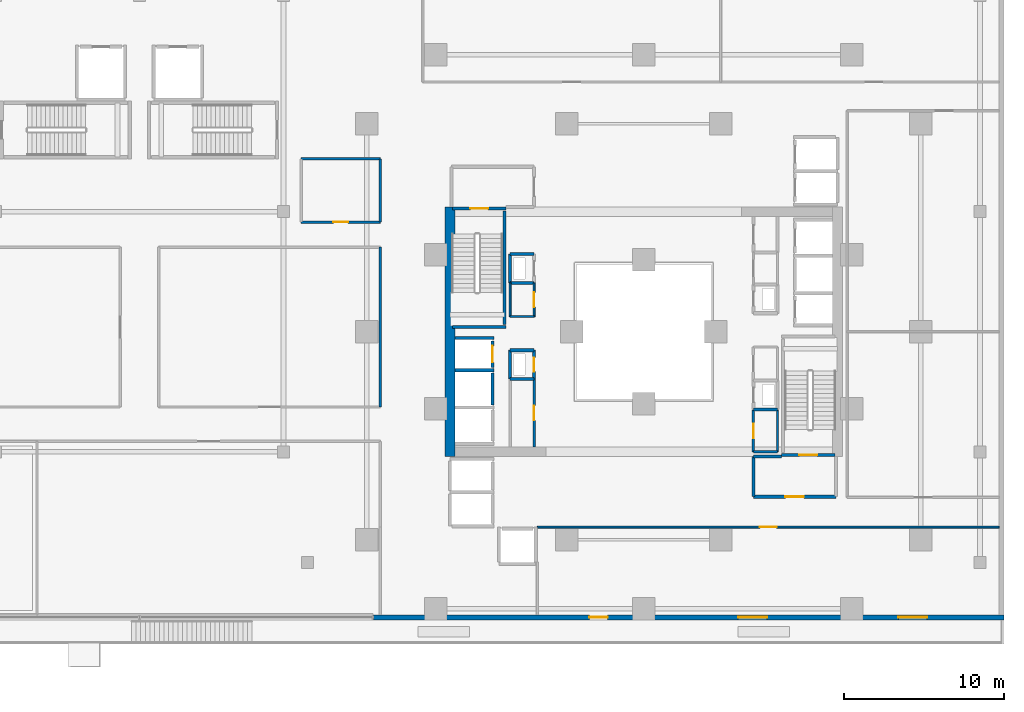
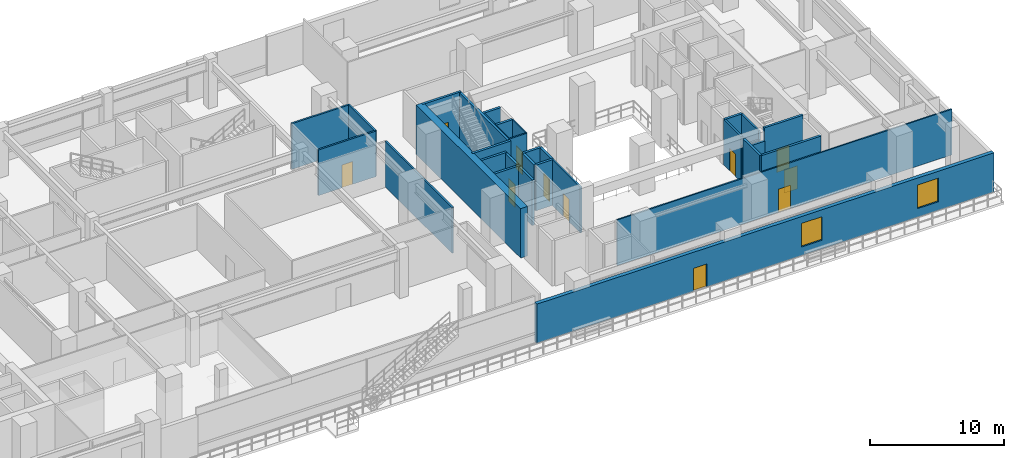
# One storey, part 16 of 24: 33 walls, 11 doors, 2 windows, 13 openings.
"""IFC4 building model written with IfcOpenShell, lengths in metres."""

from ifc_helpers import new_model, si_unit, direction, frame, frame_2d, origin, place, context, subcontext, project, spatial, rectangle, extrude, material, layer, layer_set, type_object, element, fill, save


model = new_model("IFC4")

# Units and contexts
model_context = context("Model", 3, precision=1e-05, world=origin(), true_north=direction((0.0, 1.0)))
body_context = subcontext(model_context, "Body", "Model", "MODEL_VIEW")
ifc_project = project(units=[si_unit("LENGTHUNIT", "METRE"), si_unit("AREAUNIT", "SQUARE_METRE"), si_unit("VOLUMEUNIT", "CUBIC_METRE"), si_unit("PLANEANGLEUNIT", "RADIAN"), si_unit("MASSUNIT", "GRAM", prefix="KILO")], contexts=[model_context])

# Site, building, storey
site_placement = place(None, origin())
site = spatial("IfcSite", under=ifc_project, at=site_placement, CompositionType="ELEMENT")
building_placement = place(site_placement, origin())
building = spatial("IfcBuilding", under=site, at=building_placement, Name="Thornwick Lancets Civic Towers", CompositionType="ELEMENT")
storey_placement = place(building_placement, frame((0.0, 0.0, 14.10009765625)))
storey = spatial("IfcBuildingStorey", under=building, at=storey_placement, Name="L03", CompositionType="ELEMENT", Elevation=14.10009765625)

# Wall, opening, door
ifc_material_1 = material(Name="Concrete blockwork C40/50", Category="masonry")
ifc_layer_1 = layer(ifc_material_1, 0.199951171875, Name="Concrete blockwork C40/50")
ifc_layer_set_1 = layer_set([ifc_layer_1], Name="Concrete blockwork C40/50")
wall_type_1 = type_object("IfcWallType", Name="WALL_COMP_200", PredefinedType="STANDARD", material=ifc_layer_set_1)
wall_1_placement = place(storey_placement, frame((79.050048828125, 24.780029296875, 0.0), z_axis=(0.0, 0.0, 1.0), x_axis=(0.0, 1.0, 0.0)))
wall_1 = element("IfcWall", 1, at=wall_1_placement, inside=storey, type_object=wall_type_1, Name="L03 Hoistway Front Wall FL-B2", PredefinedType="STANDARD", context=body_context, shape_type="SweptSolid", body=[
    extrude(rectangle(XDim=1.639892578125, YDim=0.199951171875, at=frame_2d((0.81982421875, 0.0))), origin(), (0.0, 0.0, 1.0), 4.159912109375),
])
opening_1_placement = place(wall_1_placement, frame((0.31005859375, 0.0, 0.0)))
opening_1 = element("IfcOpeningElement", 2, at=opening_1_placement, cuts=wall_1, Name="Opening LD-FL-B2", PredefinedType="OPENING", context=body_context, shape_type="SweptSolid", body=[
    extrude(rectangle(XDim=1.02001953125, YDim=2.06005859375, at=frame_2d((0.510009765625, 1.030029296875))), frame((0.0, 0.10986328125, 0.0), z_axis=(0.0, -1.0, 0.0), x_axis=(1.0, 0.0, 0.0)), (0.0, 0.0, 1.0), 0.219970703125),
])
ifc_material_2 = material(Name="Brushed bronze stainless steel", Category="steel")
door_type_1 = type_object("IfcDoorType", Name="DOOR_LIFT_SLIDE", OperationType="SLIDING_TO_LEFT", PredefinedType="DOOR", material=ifc_material_2)
door_1_placement = place(opening_1_placement, origin())
door_1 = element("IfcDoor", 3, at=door_1_placement, inside=storey, type_object=door_type_1, Name="L03 Sliding Lift Landing Door LD-FL-B2", OperationType="SLIDING_TO_LEFT", OverallHeight=2.06005859375, OverallWidth=1.02001953125, PredefinedType="DOOR", context=body_context, shape_type="SweptSolid", body=[
    extrude(rectangle(XDim=1.02001953125, YDim=2.06005859375, at=frame_2d((0.510009765625, 1.030029296875))), frame((0.0, 0.02490234375, 0.0), z_axis=(0.0, -1.0, 0.0), x_axis=(1.0, 0.0, 0.0)), (0.0, 0.0, 1.0), 0.050048828125),
])
fill(opening_1, door_1)

# Walls
wall_2_placement = place(storey_placement, frame((79.050048828125, 22.429931640625, 0.0), z_axis=(0.0, 0.0, 1.0), x_axis=(0.0, 1.0, 0.0)))
element("IfcWall", 4, at=wall_2_placement, inside=storey, type_object=wall_type_1, Name="L03 Hoistway Front Wall PL-BH2", PredefinedType="STANDARD", context=body_context, shape_type="SweptSolid", body=[
    extrude(rectangle(XDim=1.989990234375, YDim=0.199951171875, at=frame_2d((0.9951171875, 0.0))), origin(), (0.0, 0.0, 1.0), 4.159912109375),
])
for number, where, z_axis, x_axis, name in (
    (5, (76.7119140625, 26.60009765625, 0.0), (0.0, 0.0, 1.0), (1.0, 0.0, 0.0), "L03 Hoistway Shaft Wall FL-B2 N"),
    (6, (76.7119140625, 24.60009765625, 0.0), (0.0, 0.0, 1.0), (1.0, 0.0, 0.0), "L03 Hoistway Shaft Wall FL-B2 S"),
):
    element("IfcWall", number, at=place(storey_placement, frame(where, z_axis=z_axis, x_axis=x_axis)), inside=storey, type_object=wall_type_1, Name=name, PredefinedType="STANDARD", context=body_context, shape_type="SweptSolid", body=[
        extrude(rectangle(XDim=2.43603515625, YDim=0.199951171875, at=frame_2d((1.218017578125, 0.0))), origin(), (0.0, 0.0, 1.0), 4.159912109375),
    ])

# Wall, opening, door
wall_3_placement = place(storey_placement, frame((95.35009765625, 16.699951171875, 0.0), z_axis=(0.0, 0.0, 1.0), x_axis=(1.0, 0.0, 0.0)))
wall_3 = element("IfcWall", 7, at=wall_3_placement, inside=storey, type_object=wall_type_1, Name="L03 Partition L03-B-FFLOB1 E1", PredefinedType="STANDARD", context=body_context, shape_type="SweptSolid", body=[
    extrude(rectangle(XDim=5.14990234375, YDim=0.199951171875, at=frame_2d((2.574951171875, 0.0))), origin(), (0.0, 0.0, 1.0), 4.159912109375),
])
opening_2_placement = place(wall_3_placement, frame((2.0, 0.0, 0.0)))
opening_2 = element("IfcOpeningElement", 8, at=opening_2_placement, cuts=wall_3, Name="Opening D-L03-0197", PredefinedType="OPENING", context=body_context, shape_type="SweptSolid", body=[
    extrude(rectangle(XDim=1.14990234375, YDim=2.10009765625, at=frame_2d((0.574951171875, 1.050048828125))), frame((0.0, 0.10986328125, 0.0), z_axis=(0.0, -1.0, 0.0), x_axis=(1.0, 0.0, 0.0)), (0.0, 0.0, 1.0), 0.219970703125),
])
ifc_material_3 = material(Name="Glazed fire-resisting steel", Category="steel")
door_type_2 = type_object("IfcDoorType", Name="DOOR_LOBBY_FD60", OperationType="NOTDEFINED", PredefinedType="DOOR", material=ifc_material_3)
door_2_placement = place(opening_2_placement, origin())
door_2 = element("IfcDoor", 9, at=door_2_placement, inside=storey, type_object=door_type_2, Name="L03 East Firefighting Lobby 1 Door", OperationType="SINGLE_SWING_RIGHT", OverallHeight=2.10009765625, OverallWidth=1.14990234375, PredefinedType="DOOR", context=body_context, shape_type="SweptSolid", body=[
    extrude(rectangle(XDim=1.14990234375, YDim=2.10009765625, at=frame_2d((0.574951171875, 1.050048828125))), frame((0.0, 0.02490234375, 0.0), z_axis=(0.0, -1.0, 0.0), x_axis=(1.0, 0.0, 0.0)), (0.0, 0.0, 1.0), 0.050048828125),
])
fill(opening_2, door_2)

# Walls
wall_4_placement = place(storey_placement, frame((97.10009765625, 19.199951171875, 0.0), z_axis=(0.0, 0.0, 1.0), x_axis=(-1.0, 0.0, 0.0)))
element("IfcWall", 10, at=wall_4_placement, inside=storey, type_object=wall_type_1, Name="L03 Partition L03-B-FFLOB1 E3", PredefinedType="STANDARD", context=body_context, shape_type="SweptSolid", body=[
    extrude(rectangle(XDim=1.75, YDim=0.199951171875, at=frame_2d((0.875, 0.0))), origin(), (0.0, 0.0, 1.0), 3.364990234375),
])
wall_5_placement = place(storey_placement, frame((95.35009765625, 19.199951171875, 0.0), z_axis=(0.0, 0.0, 1.0), x_axis=(0.0, -1.0, 0.0)))
element("IfcWall", 11, at=wall_5_placement, inside=storey, type_object=wall_type_1, Name="L03 Partition L03-B-FFLOB1 E4", PredefinedType="STANDARD", context=body_context, shape_type="SweptSolid", body=[
    extrude(rectangle(XDim=2.5, YDim=0.199951171875, at=frame_2d((1.25, 0.0))), origin(), (0.0, 0.0, 1.0), 4.159912109375),
])
for number, where, z_axis, x_axis, name in (
    (12, (95.35009765625, 22.14990234375, 0.0), (0.0, 0.0, 1.0), (1.0, 0.0, 0.0), "L03 Partition L03-B-RISER1 E1"),
    (13, (80.14990234375, 24.050048828125, 0.0), (0.0, 0.0, 1.0), (1.0, 0.0, 0.0), "L03 Partition L03-B-DUCT2 E1"),
):
    element("IfcWall", number, at=place(storey_placement, frame(where, z_axis=z_axis, x_axis=x_axis)), inside=storey, type_object=wall_type_1, Name=name, PredefinedType="STANDARD", context=body_context, shape_type="SweptSolid", body=[
        extrude(rectangle(XDim=1.5, YDim=0.199951171875, at=frame_2d((0.75, 0.0))), origin(), (0.0, 0.0, 1.0), 4.159912109375),
    ])

# Wall, opening, door
wall_6_placement = place(storey_placement, frame((81.64990234375, 24.050048828125, 0.0), z_axis=(0.0, 0.0, 1.0), x_axis=(0.0, 1.0, 0.0)))
wall_6 = element("IfcWall", 14, at=wall_6_placement, inside=storey, type_object=wall_type_1, Name="L03 Partition L03-B-DUCT2 E2", PredefinedType="STANDARD", context=body_context, shape_type="SweptSolid", body=[
    extrude(rectangle(XDim=1.800048828125, YDim=0.199951171875, at=frame_2d((0.89990234375, 0.0))), origin(), (0.0, 0.0, 1.0), 4.159912109375),
])
opening_3_placement = place(wall_6_placement, frame((0.4599609375, 0.0, 0.0)))
opening_3 = element("IfcOpeningElement", 15, at=opening_3_placement, cuts=wall_6, Name="Opening D-L03-0201", PredefinedType="OPENING", context=body_context, shape_type="SweptSolid", body=[
    extrude(rectangle(XDim=0.8798828125, YDim=2.0400390625, at=frame_2d((0.43994140625, 1.02001953125))), frame((0.0, 0.10986328125, 0.0), z_axis=(0.0, -1.0, 0.0), x_axis=(1.0, 0.0, 0.0)), (0.0, 0.0, 1.0), 0.219970703125),
])
ifc_material_4 = material(Name="Steel riser access doorset", Category="steel")
door_type_3 = type_object("IfcDoorType", Name="DOOR_RISER_850", OperationType="NOTDEFINED", PredefinedType="DOOR", material=ifc_material_4)
door_3_placement = place(opening_3_placement, origin())
door_3 = element("IfcDoor", 16, at=door_3_placement, inside=storey, type_object=door_type_3, Name="L03 West Service Duct 2 Door", OperationType="SINGLE_SWING_RIGHT", OverallHeight=2.0400390625, OverallWidth=0.8798828125, PredefinedType="DOOR", context=body_context, shape_type="SweptSolid", body=[
    extrude(rectangle(XDim=0.8798828125, YDim=2.0400390625, at=frame_2d((0.43994140625, 1.02001953125))), frame((0.0, 0.02490234375, 0.0), z_axis=(0.0, -1.0, 0.0), x_axis=(1.0, 0.0, 0.0)), (0.0, 0.0, 1.0), 0.050048828125),
])
fill(opening_3, door_3)

# Walls
wall_7_placement = place(storey_placement, frame((81.64990234375, 25.85009765625, 0.0), z_axis=(0.0, 0.0, 1.0), x_axis=(-1.0, 0.0, 0.0)))
element("IfcWall", 17, at=wall_7_placement, inside=storey, type_object=wall_type_1, Name="L03 Partition L03-B-DUCT2 E3", PredefinedType="STANDARD", context=body_context, shape_type="SweptSolid", body=[
    extrude(rectangle(XDim=1.5, YDim=0.199951171875, at=frame_2d((0.75, 0.0))), origin(), (0.0, 0.0, 1.0), 4.159912109375),
])
wall_8_placement = place(storey_placement, frame((80.14990234375, 25.85009765625, 0.0), z_axis=(0.0, 0.0, 1.0), x_axis=(0.0, -1.0, 0.0)))
element("IfcWall", 18, at=wall_8_placement, inside=storey, type_object=wall_type_1, Name="L03 Partition L03-B-DUCT2 E4", PredefinedType="STANDARD", context=body_context, shape_type="SweptSolid", body=[
    extrude(rectangle(XDim=1.800048828125, YDim=0.199951171875, at=frame_2d((0.89990234375, 0.0))), origin(), (0.0, 0.0, 1.0), 4.159912109375),
])
for number, where, z_axis, x_axis, name in (
    (19, (80.14990234375, 30.050048828125, 0.0), (0.0, 0.0, 1.0), (1.0, 0.0, 0.0), "L03 Partition L03-B-RISER2 E1"),
    (20, (81.64990234375, 31.85009765625, 0.0), (0.0, 0.0, 1.0), (-1.0, 0.0, 0.0), "L03 Partition L03-B-RISER2 E3"),
):
    element("IfcWall", number, at=place(storey_placement, frame(where, z_axis=z_axis, x_axis=x_axis)), inside=storey, type_object=wall_type_1, Name=name, PredefinedType="STANDARD", context=body_context, shape_type="SweptSolid", body=[
        extrude(rectangle(XDim=1.5, YDim=0.199951171875, at=frame_2d((0.75, 0.0))), origin(), (0.0, 0.0, 1.0), 4.159912109375),
    ])
wall_9_placement = place(storey_placement, frame((80.14990234375, 31.85009765625, 0.0), z_axis=(0.0, 0.0, 1.0), x_axis=(0.0, -1.0, 0.0)))
element("IfcWall", 21, at=wall_9_placement, inside=storey, type_object=wall_type_1, Name="L03 Partition L03-B-RISER2 E4", PredefinedType="STANDARD", context=body_context, shape_type="SweptSolid", body=[
    extrude(rectangle(XDim=1.800048828125, YDim=0.199951171875, at=frame_2d((0.89990234375, 0.0))), origin(), (0.0, 0.0, 1.0), 4.159912109375),
])
ifc_material_5 = material(Name="Concrete C60/75", Category="concrete")
ifc_layer_2 = layer(ifc_material_5, 0.60009765625, Name="Concrete C60/75")
ifc_layer_set_2 = layer_set([ifc_layer_2], Name="Concrete C60/75")
wall_type_2 = type_object("IfcWallType", Name="WALL_CORE_600", PredefinedType="SHEAR", material=ifc_layer_set_2)
wall_10_placement = place(storey_placement, frame((76.39990234375, 19.199951171875, 0.0), z_axis=(0.0, 0.0, 1.0), x_axis=(0.0, 1.0, 0.0)))
element("IfcWall", 22, at=wall_10_placement, inside=storey, type_object=wall_type_2, Name="L03 Split Core B2 Shear Wall W", PredefinedType="SHEAR", context=body_context, shape_type="SweptSolid", body=[
    extrude(rectangle(XDim=15.60009765625, YDim=0.60009765625, at=frame_2d((7.800048828125, 0.0))), origin(), (0.0, 0.0, 1.0), 4.5),
])

# Wall, openings, door, windows
ifc_material_6 = material(Name="Insulated buff terracotta rainscreen on concrete C40/50", Category="masonry")
ifc_layer_3 = layer(ifc_material_6, 0.320068359375, Name="Insulated buff terracotta rainscreen on concrete C40/50")
ifc_layer_set_3 = layer_set([ifc_layer_3], Name="Insulated buff terracotta rainscreen on concrete C40/50")
wall_type_3 = type_object("IfcWallType", Name="WALL_EXT_TERRA_320", PredefinedType="STANDARD", material=ifc_layer_set_3)
wall_11_placement = place(storey_placement, frame((71.60009765625, 9.159912109375, 0.0), z_axis=(0.0, 0.0, 1.0), x_axis=(1.0, 0.0, 0.0)))
wall_11 = element("IfcWall", 23, at=wall_11_placement, inside=storey, type_object=wall_type_3, Name="L03 Podium South-East Facade Wall", PredefinedType="STANDARD", context=body_context, shape_type="SweptSolid", body=[
    extrude(rectangle(XDim=39.39990234375, YDim=0.320068359375, at=frame_2d((19.699951171875, 0.0))), origin(), (0.0, 0.0, 1.0), 3.559814453125),
])
opening_4_placement = place(wall_11_placement, frame((13.5, 0.0, 0.0)))
opening_4 = element("IfcOpeningElement", 24, at=opening_4_placement, cuts=wall_11, Name="Opening D-TR-L03-2", PredefinedType="OPENING", context=body_context, shape_type="SweptSolid", body=[
    extrude(rectangle(XDim=1.14990234375, YDim=2.10009765625, at=frame_2d((0.574951171875, 1.050048828125))), frame((0.0, 0.169921875, 0.0), z_axis=(0.0, -1.0, 0.0), x_axis=(1.0, 0.0, 0.0)), (0.0, 0.0, 1.0), 0.340087890625),
])
opening_5_placement = place(wall_11_placement, frame((22.800048828125, 0.0, 0.780029296875)))
opening_5 = element("IfcOpeningElement", 25, at=opening_5_placement, cuts=wall_11, Name="Opening WP-18", PredefinedType="OPENING", context=body_context, shape_type="SweptSolid", body=[
    extrude(rectangle(XDim=1.800048828125, YDim=2.14990234375, at=frame_2d((0.89990234375, 1.074951171875))), frame((0.0, 0.169921875, 0.0), z_axis=(0.0, -1.0, 0.0), x_axis=(1.0, 0.0, 0.0)), (0.0, 0.0, 1.0), 0.340087890625),
])
opening_6_placement = place(wall_11_placement, frame((32.800048828125, 0.0, 0.780029296875)))
opening_6 = element("IfcOpeningElement", 26, at=opening_6_placement, cuts=wall_11, Name="Opening WP-18", PredefinedType="OPENING", context=body_context, shape_type="SweptSolid", body=[
    extrude(rectangle(XDim=1.800048828125, YDim=2.14990234375, at=frame_2d((0.89990234375, 1.074951171875))), frame((0.0, 0.169921875, 0.0), z_axis=(0.0, -1.0, 0.0), x_axis=(1.0, 0.0, 0.0)), (0.0, 0.0, 1.0), 0.340087890625),
])
ifc_material_7 = material(Name="Thermally broken glazed terrace doorset")
door_type_4 = type_object("IfcDoorType", Name="DOOR_TERRACE_1200", OperationType="NOTDEFINED", PredefinedType="DOOR", material=ifc_material_7)
door_4_placement = place(opening_4_placement, origin())
door_4 = element("IfcDoor", 27, at=door_4_placement, inside=storey, type_object=door_type_4, Name="L03 Cascading Garden Terrace Door 2", OperationType="SINGLE_SWING_RIGHT", OverallHeight=2.10009765625, OverallWidth=1.14990234375, PredefinedType="DOOR", context=body_context, shape_type="SweptSolid", body=[
    extrude(rectangle(XDim=1.14990234375, YDim=2.10009765625, at=frame_2d((0.574951171875, 1.050048828125))), frame((0.0, 0.02490234375, 0.0), z_axis=(0.0, -1.0, 0.0), x_axis=(1.0, 0.0, 0.0)), (0.0, 0.0, 1.0), 0.050048828125),
])
fill(opening_4, door_4)
ifc_material_8 = material(Name="Pointed lancet clear glass window", Category="glass")
window_type = type_object("IfcWindowType", Name="WIN_PODIUM_1800", PartitioningType="SINGLE_PANEL", PredefinedType="WINDOW", material=ifc_material_8)
window_1_placement = place(opening_5_placement, origin())
window_1 = element("IfcWindow", 28, at=window_1_placement, inside=storey, type_object=window_type, Name="L03 Podium Lancet Window 3", OverallHeight=2.14990234375, OverallWidth=1.800048828125, PartitioningType="SINGLE_PANEL", PredefinedType="WINDOW", context=body_context, shape_type="SweptSolid", body=[
    extrude(rectangle(XDim=1.800048828125, YDim=2.14990234375, at=frame_2d((0.89990234375, 1.074951171875))), frame((0.0, 0.030029296875, 0.0), z_axis=(0.0, -1.0, 0.0), x_axis=(1.0, 0.0, 0.0)), (0.0, 0.0, 1.0), 0.06005859375),
])
fill(opening_5, window_1)
window_2_placement = place(opening_6_placement, origin())
window_2 = element("IfcWindow", 29, at=window_2_placement, inside=storey, type_object=window_type, Name="L03 Podium Lancet Window 4", OverallHeight=2.14990234375, OverallWidth=1.800048828125, PartitioningType="SINGLE_PANEL", PredefinedType="WINDOW", context=body_context, shape_type="SweptSolid", body=[
    extrude(rectangle(XDim=1.800048828125, YDim=2.14990234375, at=frame_2d((0.89990234375, 1.074951171875))), frame((0.0, 0.030029296875, 0.0), z_axis=(0.0, -1.0, 0.0), x_axis=(1.0, 0.0, 0.0)), (0.0, 0.0, 1.0), 0.06005859375),
])
fill(opening_6, window_2)

# Walls
ifc_material_9 = material(Name="Acoustic gypsum board partition")
ifc_layer_4 = layer(ifc_material_9, 0.1201171875, Name="Acoustic gypsum board partition")
ifc_layer_set_4 = layer_set([ifc_layer_4], Name="Acoustic gypsum board partition")
wall_type_4 = type_object("IfcWallType", Name="WALL_PART_120", PredefinedType="PARTITIONING", material=ifc_layer_set_4)
wall_12_placement = place(storey_placement, frame((81.64990234375, 27.949951171875, 0.0), z_axis=(0.0, 0.0, 1.0), x_axis=(-1.0, 0.0, 0.0)))
element("IfcWall", 30, at=wall_12_placement, inside=storey, type_object=wall_type_4, Name="L03 Partition L03-B-ITR E1", PredefinedType="PARTITIONING", context=body_context, shape_type="SweptSolid", body=[
    extrude(rectangle(XDim=1.5, YDim=0.1201171875, at=frame_2d((0.75, 0.0))), origin(), (0.0, 0.0, 1.0), 4.159912109375),
])
wall_13_placement = place(storey_placement, frame((80.14990234375, 27.949951171875, 0.0), z_axis=(0.0, 0.0, 1.0), x_axis=(0.0, 1.0, 0.0)))
element("IfcWall", 31, at=wall_13_placement, inside=storey, type_object=wall_type_4, Name="L03 Partition L03-B-ITR E2", PredefinedType="PARTITIONING", context=body_context, shape_type="SweptSolid", body=[
    extrude(rectangle(XDim=2.10009765625, YDim=0.1201171875, at=frame_2d((1.050048828125, 0.0))), origin(), (0.0, 0.0, 1.0), 4.159912109375),
])

# Wall, opening, door
wall_14_placement = place(storey_placement, frame((81.64990234375, 30.050048828125, 0.0), z_axis=(0.0, 0.0, 1.0), x_axis=(0.0, -1.0, 0.0)))
wall_14 = element("IfcWall", 32, at=wall_14_placement, inside=storey, type_object=wall_type_4, Name="L03 Partition L03-B-ITR E4", PredefinedType="PARTITIONING", context=body_context, shape_type="SweptSolid", body=[
    extrude(rectangle(XDim=2.10009765625, YDim=0.1201171875, at=frame_2d((1.050048828125, 0.0))), origin(), (0.0, 0.0, 1.0), 4.159912109375),
])
opening_7_placement = place(wall_14_placement, frame((0.574951171875, 0.0, 0.0)))
opening_7 = element("IfcOpeningElement", 33, at=opening_7_placement, cuts=wall_14, Name="Opening D-L03-0208", PredefinedType="OPENING", context=body_context, shape_type="SweptSolid", body=[
    extrude(rectangle(XDim=0.949951171875, YDim=2.10009765625, at=frame_2d((0.47509765625, 1.050048828125))), frame((0.0, 0.070068359375, 0.0), z_axis=(0.0, -1.0, 0.0), x_axis=(1.0, 0.0, 0.0)), (0.0, 0.0, 1.0), 0.14013671875),
])
ifc_material_10 = material(Name="European oak acoustic doorset")
door_type_5 = type_object("IfcDoorType", Name="DOOR_OFFICE_950", OperationType="NOTDEFINED", PredefinedType="DOOR", material=ifc_material_10)
door_5_placement = place(opening_7_placement, origin())
door_5 = element("IfcDoor", 34, at=door_5_placement, inside=storey, type_object=door_type_5, Name="L03 Tower B Comms Patch Room Door", OperationType="SINGLE_SWING_LEFT", OverallHeight=2.10009765625, OverallWidth=0.949951171875, PredefinedType="DOOR", context=body_context, shape_type="SweptSolid", body=[
    extrude(rectangle(XDim=0.949951171875, YDim=2.10009765625, at=frame_2d((0.47509765625, 1.050048828125))), frame((0.0, 0.02490234375, 0.0), z_axis=(0.0, -1.0, 0.0), x_axis=(1.0, 0.0, 0.0)), (0.0, 0.0, 1.0), 0.050048828125),
])
fill(opening_7, door_5)

wall_15_placement = place(storey_placement, frame((81.85009765625, 14.800048828125, 0.0), z_axis=(0.0, 0.0, 1.0), x_axis=(1.0, 0.0, 0.0)))
wall_15 = element("IfcWall", 35, at=wall_15_placement, inside=storey, type_object=wall_type_4, Name="L03 Partition L03-SSE E3", PredefinedType="PARTITIONING", context=body_context, shape_type="SweptSolid", body=[
    extrude(rectangle(XDim=28.849853515625, YDim=0.1201171875, at=frame_2d((14.4248046875, 0.0))), origin(), (0.0, 0.0, 1.0), 4.159912109375),
])
opening_8_placement = place(wall_15_placement, frame((13.89990234375, 0.0, 0.0)))
opening_8 = element("IfcOpeningElement", 36, at=opening_8_placement, cuts=wall_15, Name="Opening D-L03-0224", PredefinedType="OPENING", context=body_context, shape_type="SweptSolid", body=[
    extrude(rectangle(XDim=1.050048828125, YDim=2.10009765625, at=frame_2d((0.52490234375, 1.050048828125))), frame((0.0, 0.070068359375, 0.0), z_axis=(0.0, -1.0, 0.0), x_axis=(1.0, 0.0, 0.0)), (0.0, 0.0, 1.0), 0.14013671875),
])
ifc_material_11 = material(Name="Glazed European oak executive doorset")
door_type_6 = type_object("IfcDoorType", Name="DOOR_OFFICE_1050", OperationType="NOTDEFINED", PredefinedType="DOOR", material=ifc_material_11)
door_6_placement = place(opening_8_placement, origin())
door_6 = element("IfcDoor", 37, at=door_6_placement, inside=storey, type_object=door_type_6, Name="L03 South-East Policy Unit Door", OperationType="SINGLE_SWING_LEFT", OverallHeight=2.10009765625, OverallWidth=1.050048828125, PredefinedType="DOOR", context=body_context, shape_type="SweptSolid", body=[
    extrude(rectangle(XDim=1.050048828125, YDim=2.10009765625, at=frame_2d((0.52490234375, 1.050048828125))), frame((0.0, 0.02490234375, 0.0), z_axis=(0.0, -1.0, 0.0), x_axis=(1.0, 0.0, 0.0)), (0.0, 0.0, 1.0), 0.050048828125),
])
fill(opening_8, door_6)

# Walls
ifc_material_12 = material(Name="Twin-stud acoustic gypsum board")
ifc_layer_5 = layer(ifc_material_12, 0.14990234375, Name="Twin-stud acoustic gypsum board")
ifc_layer_set_5 = layer_set([ifc_layer_5], Name="Twin-stud acoustic gypsum board")
wall_type_5 = type_object("IfcWallType", Name="WALL_PART_150", PredefinedType="PARTITIONING", material=ifc_layer_set_5)
wall_16_placement = place(storey_placement, frame((95.35009765625, 19.5, 0.0), z_axis=(0.0, 0.0, 1.0), x_axis=(1.0, 0.0, 0.0)))
element("IfcWall", 38, at=wall_16_placement, inside=storey, type_object=wall_type_5, Name="L03 Partition L03-B-MWC E1", PredefinedType="PARTITIONING", context=body_context, shape_type="SweptSolid", body=[
    extrude(rectangle(XDim=1.5, YDim=0.14990234375, at=frame_2d((0.75, 0.0))), origin(), (0.0, 0.0, 1.0), 3.364990234375),
])
wall_17_placement = place(storey_placement, frame((96.85009765625, 19.5, 0.0), z_axis=(0.0, 0.0, 1.0), x_axis=(0.0, 1.0, 0.0)))
element("IfcWall", 39, at=wall_17_placement, inside=storey, type_object=wall_type_5, Name="L03 Partition L03-B-MWC E2", PredefinedType="PARTITIONING", context=body_context, shape_type="SweptSolid", body=[
    extrude(rectangle(XDim=2.60009765625, YDim=0.14990234375, at=frame_2d((1.300048828125, 0.0))), origin(), (0.0, 0.0, 1.0), 4.159912109375),
])

# Wall, opening, door
wall_18_placement = place(storey_placement, frame((95.35009765625, 22.10009765625, 0.0), z_axis=(0.0, 0.0, 1.0), x_axis=(0.0, -1.0, 0.0)))
wall_18 = element("IfcWall", 40, at=wall_18_placement, inside=storey, type_object=wall_type_5, Name="L03 Partition L03-B-MWC E4", PredefinedType="PARTITIONING", context=body_context, shape_type="SweptSolid", body=[
    extrude(rectangle(XDim=2.60009765625, YDim=0.14990234375, at=frame_2d((1.300048828125, 0.0))), origin(), (0.0, 0.0, 1.0), 4.159912109375),
])
opening_9_placement = place(wall_18_placement, frame((0.840087890625, 0.0, 0.0)))
opening_9 = element("IfcOpeningElement", 41, at=opening_9_placement, cuts=wall_18, Name="Opening D-L03-0203", PredefinedType="OPENING", context=body_context, shape_type="SweptSolid", body=[
    extrude(rectangle(XDim=0.919921875, YDim=2.080078125, at=frame_2d((0.4599609375, 1.0400390625))), frame((0.0, 0.0849609375, 0.0), z_axis=(0.0, -1.0, 0.0), x_axis=(1.0, 0.0, 0.0)), (0.0, 0.0, 1.0), 0.169921875),
])
ifc_material_13 = material(Name="Moisture-resistant oak doorset")
door_type_7 = type_object("IfcDoorType", Name="DOOR_WC_900", OperationType="NOTDEFINED", PredefinedType="DOOR", material=ifc_material_13)
door_7_placement = place(opening_9_placement, origin())
door_7 = element("IfcDoor", 42, at=door_7_placement, inside=storey, type_object=door_type_7, Name="L03 Tower B Male WC Door", OperationType="SINGLE_SWING_RIGHT", OverallHeight=2.080078125, OverallWidth=0.919921875, PredefinedType="DOOR", context=body_context, shape_type="SweptSolid", body=[
    extrude(rectangle(XDim=0.919921875, YDim=2.080078125, at=frame_2d((0.4599609375, 1.0400390625))), frame((0.0, 0.02490234375, 0.0), z_axis=(0.0, -1.0, 0.0), x_axis=(1.0, 0.0, 0.0)), (0.0, 0.0, 1.0), 0.050048828125),
])
fill(opening_9, door_7)

wall_19_placement = place(storey_placement, frame((81.64990234375, 24.050048828125, 0.0), z_axis=(0.0, 0.0, 1.0), x_axis=(0.0, -1.0, 0.0)))
wall_19 = element("IfcWall", 43, at=wall_19_placement, inside=storey, type_object=wall_type_5, Name="L03 Partition L03-B-FWC E4", PredefinedType="PARTITIONING", context=body_context, shape_type="SweptSolid", body=[
    extrude(rectangle(XDim=4.25, YDim=0.14990234375, at=frame_2d((2.125, 0.0))), origin(), (0.0, 0.0, 1.0), 4.159912109375),
])
opening_10_placement = place(wall_19_placement, frame((1.6650390625, 0.0, 0.0)))
opening_10 = element("IfcOpeningElement", 44, at=opening_10_placement, cuts=wall_19, Name="Opening D-L03-0207", PredefinedType="OPENING", context=body_context, shape_type="SweptSolid", body=[
    extrude(rectangle(XDim=0.919921875, YDim=2.080078125, at=frame_2d((0.4599609375, 1.0400390625))), frame((0.0, 0.0849609375, 0.0), z_axis=(0.0, -1.0, 0.0), x_axis=(1.0, 0.0, 0.0)), (0.0, 0.0, 1.0), 0.169921875),
])
door_8_placement = place(opening_10_placement, origin())
door_8 = element("IfcDoor", 45, at=door_8_placement, inside=storey, type_object=door_type_7, Name="L03 Tower B Female WC Door", OperationType="SINGLE_SWING_RIGHT", OverallHeight=2.080078125, OverallWidth=0.919921875, PredefinedType="DOOR", context=body_context, shape_type="SweptSolid", body=[
    extrude(rectangle(XDim=0.919921875, YDim=2.080078125, at=frame_2d((0.4599609375, 1.0400390625))), frame((0.0, 0.02490234375, 0.0), z_axis=(0.0, -1.0, 0.0), x_axis=(1.0, 0.0, 0.0)), (0.0, 0.0, 1.0), 0.050048828125),
])
fill(opening_10, door_8)

wall_20_placement = place(storey_placement, frame((67.10009765625, 33.85009765625, 0.0), z_axis=(0.0, 0.0, 1.0), x_axis=(1.0, 0.0, 0.0)))
wall_20 = element("IfcWall", 46, at=wall_20_placement, inside=storey, type_object=wall_type_5, Name="L03 Partition L03-POD-FWC E1", PredefinedType="PARTITIONING", context=body_context, shape_type="SweptSolid", body=[
    extrude(rectangle(XDim=4.949951171875, YDim=0.14990234375, at=frame_2d((2.47509765625, 0.0))), origin(), (0.0, 0.0, 1.0), 4.159912109375),
])
opening_11_placement = place(wall_20_placement, frame((2.014892578125, 0.0, 0.0)))
opening_11 = element("IfcOpeningElement", 47, at=opening_11_placement, cuts=wall_20, Name="Opening D-L03-0210", PredefinedType="OPENING", context=body_context, shape_type="SweptSolid", body=[
    extrude(rectangle(XDim=0.919921875, YDim=2.080078125, at=frame_2d((0.4599609375, 1.0400390625))), frame((0.0, 0.0849609375, 0.0), z_axis=(0.0, -1.0, 0.0), x_axis=(1.0, 0.0, 0.0)), (0.0, 0.0, 1.0), 0.169921875),
])
door_9_placement = place(opening_11_placement, origin())
door_9 = element("IfcDoor", 48, at=door_9_placement, inside=storey, type_object=door_type_7, Name="L03 Podium Public Female WC Door", OperationType="SINGLE_SWING_LEFT", OverallHeight=2.080078125, OverallWidth=0.919921875, PredefinedType="DOOR", context=body_context, shape_type="SweptSolid", body=[
    extrude(rectangle(XDim=0.919921875, YDim=2.080078125, at=frame_2d((0.4599609375, 1.0400390625))), frame((0.0, 0.02490234375, 0.0), z_axis=(0.0, -1.0, 0.0), x_axis=(1.0, 0.0, 0.0)), (0.0, 0.0, 1.0), 0.050048828125),
])
fill(opening_11, door_9)

# Walls
wall_21_placement = place(storey_placement, frame((72.050048828125, 33.85009765625, 0.0), z_axis=(0.0, 0.0, 1.0), x_axis=(0.0, 1.0, 0.0)))
element("IfcWall", 49, at=wall_21_placement, inside=storey, type_object=wall_type_5, Name="L03 Partition L03-POD-FWC E2", PredefinedType="PARTITIONING", context=body_context, shape_type="SweptSolid", body=[
    extrude(rectangle(XDim=3.949951171875, YDim=0.14990234375, at=frame_2d((1.97509765625, 0.0))), origin(), (0.0, 0.0, 1.0), 4.159912109375),
])
wall_22_placement = place(storey_placement, frame((72.050048828125, 37.800048828125, 0.0), z_axis=(0.0, 0.0, 1.0), x_axis=(-1.0, 0.0, 0.0)))
element("IfcWall", 50, at=wall_22_placement, inside=storey, type_object=wall_type_5, Name="L03 Partition L03-POD-FWC E3", PredefinedType="PARTITIONING", context=body_context, shape_type="SweptSolid", body=[
    extrude(rectangle(XDim=4.949951171875, YDim=0.14990234375, at=frame_2d((2.47509765625, 0.0))), origin(), (0.0, 0.0, 1.0), 4.159912109375),
])
wall_23_placement = place(storey_placement, frame((72.050048828125, 32.280029296875, 0.0), z_axis=(0.0, 0.0, 1.0), x_axis=(0.0, -1.0, 0.0)))
element("IfcWall", 51, at=wall_23_placement, inside=storey, type_object=wall_type_5, Name="L03 Partition L03-CSE E4", PredefinedType="PARTITIONING", context=body_context, shape_type="SweptSolid", body=[
    extrude(rectangle(XDim=9.97998046875, YDim=0.14990234375, at=frame_2d((4.989990234375, 0.0))), origin(), (0.0, 0.0, 1.0), 4.159912109375),
])

# Wall, opening, door
ifc_material_14 = material(Name="Concrete C40/50", Category="concrete")
ifc_layer_6 = layer(ifc_material_14, 0.199951171875, Name="Concrete C40/50")
ifc_layer_set_6 = layer_set([ifc_layer_6], Name="Concrete C40/50")
wall_type_6 = type_object("IfcWallType", Name="WALL_SHAFT_200", PredefinedType="SHEAR", material=ifc_layer_set_6)
wall_24_placement = place(storey_placement, frame((100.449951171875, 19.300048828125, 0.0), z_axis=(0.0, 0.0, 1.0), x_axis=(-1.0, 0.0, 0.0)))
wall_24 = element("IfcWall", 52, at=wall_24_placement, inside=storey, type_object=wall_type_6, Name="L03 ST-B1 Fire Stair Core Wall NEAR", PredefinedType="SHEAR", context=body_context, shape_type="SweptSolid", body=[
    extrude(rectangle(XDim=3.349853515625, YDim=0.199951171875, at=frame_2d((1.6748046875, 0.0))), origin(), (0.0, 0.0, 1.0), 4.5),
])
opening_12_placement = place(wall_24_placement, frame((1.125, 0.0, 0.0)))
opening_12 = element("IfcOpeningElement", 53, at=opening_12_placement, cuts=wall_24, Name="Opening D-ST-B1-L03", PredefinedType="OPENING", context=body_context, shape_type="SweptSolid", body=[
    extrude(rectangle(XDim=1.10009765625, YDim=2.10009765625, at=frame_2d((0.550048828125, 1.050048828125))), frame((0.0, 0.10986328125, 0.0), z_axis=(0.0, -1.0, 0.0), x_axis=(1.0, 0.0, 0.0)), (0.0, 0.0, 1.0), 0.219970703125),
])
ifc_material_15 = material(Name="Fire-resisting steel and hardwood", Category="steel")
door_type_8 = type_object("IfcDoorType", Name="DOOR_STAIR_FD60", OperationType="NOTDEFINED", PredefinedType="DOOR", material=ifc_material_15)
door_10_placement = place(opening_12_placement, origin())
door_10 = element("IfcDoor", 54, at=door_10_placement, inside=storey, type_object=door_type_8, Name="L03 ST-B1 Exit Stair Door", OperationType="SINGLE_SWING_RIGHT", OverallHeight=2.10009765625, OverallWidth=1.10009765625, PredefinedType="DOOR", context=body_context, shape_type="SweptSolid", body=[
    extrude(rectangle(XDim=1.10009765625, YDim=2.10009765625, at=frame_2d((0.550048828125, 1.050048828125))), frame((0.0, 0.02490234375, 0.0), z_axis=(0.0, -1.0, 0.0), x_axis=(1.0, 0.0, 0.0)), (0.0, 0.0, 1.0), 0.050048828125),
])
fill(opening_12, door_10)

wall_25_placement = place(storey_placement, frame((76.550048828125, 34.699951171875, 0.0), z_axis=(0.0, 0.0, 1.0), x_axis=(1.0, 0.0, 0.0)))
wall_25 = element("IfcWall", 55, at=wall_25_placement, inside=storey, type_object=wall_type_6, Name="L03 ST-B2 Fire Stair Core Wall NEAR", PredefinedType="SHEAR", context=body_context, shape_type="SweptSolid", body=[
    extrude(rectangle(XDim=3.349853515625, YDim=0.199951171875, at=frame_2d((1.6748046875, 0.0))), origin(), (0.0, 0.0, 1.0), 4.5),
])
opening_13_placement = place(wall_25_placement, frame((1.125, 0.0, 0.0)))
opening_13 = element("IfcOpeningElement", 56, at=opening_13_placement, cuts=wall_25, Name="Opening D-ST-B2-L03", PredefinedType="OPENING", context=body_context, shape_type="SweptSolid", body=[
    extrude(rectangle(XDim=1.10009765625, YDim=2.10009765625, at=frame_2d((0.550048828125, 1.050048828125))), frame((0.0, 0.10986328125, 0.0), z_axis=(0.0, -1.0, 0.0), x_axis=(1.0, 0.0, 0.0)), (0.0, 0.0, 1.0), 0.219970703125),
])
door_11_placement = place(opening_13_placement, origin())
door_11 = element("IfcDoor", 57, at=door_11_placement, inside=storey, type_object=door_type_8, Name="L03 ST-B2 Exit Stair Door", OperationType="SINGLE_SWING_LEFT", OverallHeight=2.10009765625, OverallWidth=1.10009765625, PredefinedType="DOOR", context=body_context, shape_type="SweptSolid", body=[
    extrude(rectangle(XDim=1.10009765625, YDim=2.10009765625, at=frame_2d((0.550048828125, 1.050048828125))), frame((0.0, 0.02490234375, 0.0), z_axis=(0.0, -1.0, 0.0), x_axis=(1.0, 0.0, 0.0)), (0.0, 0.0, 1.0), 0.050048828125),
])
fill(opening_13, door_11)

# Walls
wall_26_placement = place(storey_placement, frame((79.89990234375, 27.300048828125, 0.0), z_axis=(0.0, 0.0, 1.0), x_axis=(-1.0, 0.0, 0.0)))
element("IfcWall", 58, at=wall_26_placement, inside=storey, type_object=wall_type_6, Name="L03 ST-B2 Fire Stair Core Wall FAR", PredefinedType="SHEAR", context=body_context, shape_type="SweptSolid", body=[
    extrude(rectangle(XDim=3.349853515625, YDim=0.199951171875, at=frame_2d((1.6748046875, 0.0))), origin(), (0.0, 0.0, 1.0), 4.5),
])
wall_27_placement = place(storey_placement, frame((79.797119140625, 27.449951171875, 0.0), z_axis=(0.0, 0.0, 1.0), x_axis=(0.0, 1.0, 0.0)))
element("IfcWall", 59, at=wall_27_placement, inside=storey, type_object=wall_type_6, Name="L03 ST-B2 Fire Stair Core Wall RIGHT", PredefinedType="SHEAR", context=body_context, shape_type="SweptSolid", body=[
    extrude(rectangle(XDim=7.10009765625, YDim=0.199951171875, at=frame_2d((3.550048828125, 0.0))), origin(), (0.0, 0.0, 1.0), 4.5),
])

save(model, "model.ifc")
